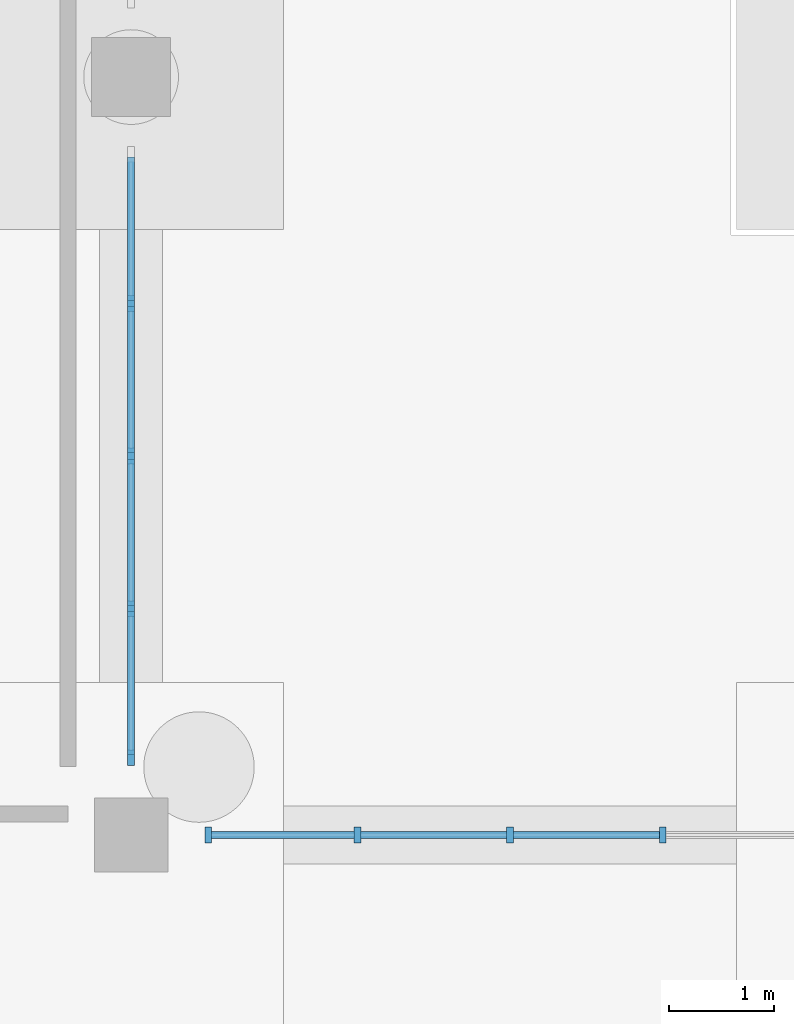
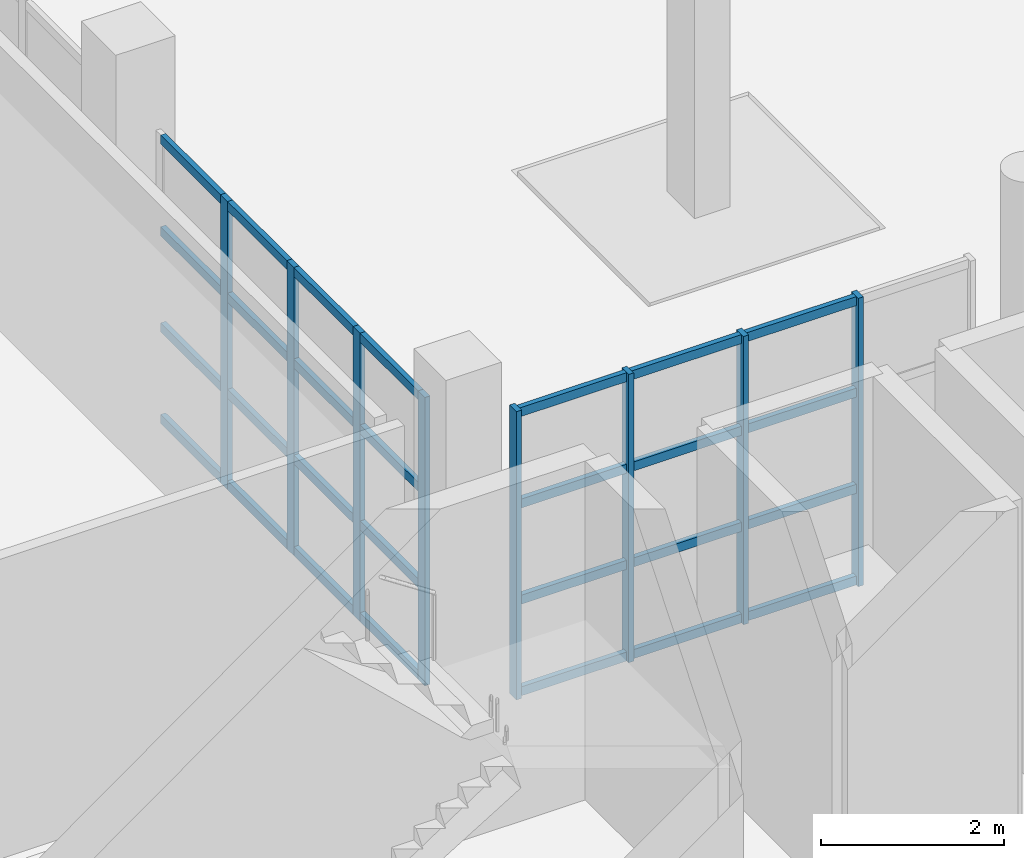
# One storey, part 42 of 285: 36 members, 2 elements without a shape of their own.
"""IFC4 building model written with IfcOpenShell, lengths in metres."""

from ifc_helpers import new_model, si_unit, direction, frame, origin, origin_2d, place, context, subcontext, project, spatial, rectangle, extrude, material, material_profile, profile_set, type_object, element, aggregate, save


model = new_model("IFC4")

# Units and contexts
model_context = context("Model", 3, precision=1e-05, world=origin(), true_north=direction((0.0, 1.0)))
body_context = subcontext(model_context, "Body", "Model", "MODEL_VIEW")
ifc_project = project(units=[si_unit("LENGTHUNIT", "METRE"), si_unit("AREAUNIT", "SQUARE_METRE"), si_unit("VOLUMEUNIT", "CUBIC_METRE"), si_unit("PLANEANGLEUNIT", "RADIAN"), si_unit("MASSUNIT", "GRAM", prefix="KILO")], contexts=[model_context])

# Site, building, storey
site_placement = place(None, origin())
site = spatial("IfcSite", under=ifc_project, at=site_placement, CompositionType="ELEMENT")
building_placement = place(site_placement, origin())
building = spatial("IfcBuilding", under=site, at=building_placement, Name="Solanera Park Tramway Depot", CompositionType="ELEMENT")
storey_placement = place(building_placement, origin())
storey = spatial("IfcBuildingStorey", under=building, at=storey_placement, Name="L00", CompositionType="ELEMENT", Elevation=0.0)

# Curtain wall, members
ifc_material_1 = material(Name="Bronze-anodised thermally broken aluminium curtain wall", Category="aluminium")
curtain_wall_type = type_object("IfcCurtainWallType", Name="Courtyard Cloister Unitised Curtain Wall", PredefinedType="NOTDEFINED", material=ifc_material_1)
curtain_wall_1_placement = place(storey_placement, origin())
curtain_wall_1 = element("IfcCurtainWall", 1, at=curtain_wall_1_placement, inside=storey, type_object=curtain_wall_type, Name="L00 Courtyard Cloister Unitised Curtain Wall #072", PredefinedType="NOTDEFINED")
ifc_material_2 = material(Name="Bronze-anodised structural aluminium 6063-T6", Category="aluminium")
ifc_material_profile_1 = material_profile(ifc_material_2, rectangle(XDim=0.06494140625, YDim=0.14990234375, at=origin_2d()), Name="Curtain Wall Mullion 65x150")
ifc_profile_set_1 = profile_set([ifc_material_profile_1], Name="Bronze-anodised structural aluminium 6063-T6")
member_type_1 = type_object("IfcMemberType", Name="Curtain Wall Mullion 65x150", PredefinedType="MULLION", material=ifc_profile_set_1)
member_1_placement = place(storey_placement, frame((123.132568359375, 25.199951171875, 0.0), z_axis=(0.0, 0.0, 1.0), x_axis=(1.0, 0.0, 0.0)))
member_1 = element("IfcMember", 2, at=member_1_placement, type_object=member_type_1, Name="CW-L00-072 Mullion 1", PredefinedType="MULLION", context=body_context, shape_type="SweptSolid", body=[
    extrude(rectangle(XDim=0.06494140625, YDim=0.14990234375, at=origin_2d()), origin(), (0.0, 0.0, 1.0), 3.85009765625),
])
member_2_placement = place(storey_placement, frame((124.550048828125, 25.199951171875, 0.0), z_axis=(0.0, 0.0, 1.0), x_axis=(1.0, 0.0, 0.0)))
member_2 = element("IfcMember", 3, at=member_2_placement, type_object=member_type_1, Name="CW-L00-072 Mullion 2", PredefinedType="MULLION", context=body_context, shape_type="SweptSolid", body=[
    extrude(rectangle(XDim=0.06494140625, YDim=0.14990234375, at=origin_2d()), origin(), (0.0, 0.0, 1.0), 3.85009765625),
])
member_3_placement = place(storey_placement, frame((126.0, 25.199951171875, 0.0), z_axis=(0.0, 0.0, 1.0), x_axis=(1.0, 0.0, 0.0)))
member_3 = element("IfcMember", 4, at=member_3_placement, type_object=member_type_1, Name="CW-L00-072 Mullion 3", PredefinedType="MULLION", context=body_context, shape_type="SweptSolid", body=[
    extrude(rectangle(XDim=0.06494140625, YDim=0.14990234375, at=origin_2d()), origin(), (0.0, 0.0, 1.0), 3.85009765625),
])
member_4_placement = place(storey_placement, frame((127.449951171875, 25.199951171875, 0.0), z_axis=(0.0, 0.0, 1.0), x_axis=(1.0, 0.0, 0.0)))
member_4 = element("IfcMember", 5, at=member_4_placement, type_object=member_type_1, Name="CW-L00-072 Mullion 4", PredefinedType="MULLION", context=body_context, shape_type="SweptSolid", body=[
    extrude(rectangle(XDim=0.06494140625, YDim=0.14990234375, at=origin_2d()), origin(), (0.0, 0.0, 1.0), 3.85009765625),
])

curtain_wall_2_placement = place(storey_placement, origin())
curtain_wall_2 = element("IfcCurtainWall", 6, at=curtain_wall_2_placement, inside=storey, type_object=curtain_wall_type, Name="L00 Courtyard Cloister Unitised Curtain Wall #084", PredefinedType="NOTDEFINED")
member_5_placement = place(storey_placement, frame((122.39990234375, 25.9326171875, 0.0), z_axis=(0.0, 0.0, 1.0), x_axis=(1.0, 0.0, 0.0)))
member_5 = element("IfcMember", 7, at=member_5_placement, type_object=member_type_1, Name="CW-L00-084 Mullion 1", PredefinedType="MULLION", context=body_context, shape_type="SweptSolid", body=[
    extrude(rectangle(XDim=0.06494140625, YDim=0.14990234375, at=origin_2d()), origin(), (0.0, 0.0, 1.0), 3.85009765625),
])
member_6_placement = place(storey_placement, frame((122.39990234375, 27.35009765625, 0.0), z_axis=(0.0, 0.0, 1.0), x_axis=(1.0, 0.0, 0.0)))
member_6 = element("IfcMember", 8, at=member_6_placement, type_object=member_type_1, Name="CW-L00-084 Mullion 2", PredefinedType="MULLION", context=body_context, shape_type="SweptSolid", body=[
    extrude(rectangle(XDim=0.06494140625, YDim=0.14990234375, at=origin_2d()), origin(), (0.0, 0.0, 1.0), 3.85009765625),
])
member_7_placement = place(storey_placement, frame((122.39990234375, 28.800048828125, 0.0), z_axis=(0.0, 0.0, 1.0), x_axis=(1.0, 0.0, 0.0)))
member_7 = element("IfcMember", 9, at=member_7_placement, type_object=member_type_1, Name="CW-L00-084 Mullion 3", PredefinedType="MULLION", context=body_context, shape_type="SweptSolid", body=[
    extrude(rectangle(XDim=0.06494140625, YDim=0.14990234375, at=origin_2d()), origin(), (0.0, 0.0, 1.0), 3.85009765625),
])
member_8_placement = place(storey_placement, frame((122.39990234375, 30.25, 0.0), z_axis=(0.0, 0.0, 1.0), x_axis=(1.0, 0.0, 0.0)))
member_8 = element("IfcMember", 10, at=member_8_placement, type_object=member_type_1, Name="CW-L00-084 Mullion 4", PredefinedType="MULLION", context=body_context, shape_type="SweptSolid", body=[
    extrude(rectangle(XDim=0.06494140625, YDim=0.14990234375, at=origin_2d()), origin(), (0.0, 0.0, 1.0), 3.85009765625),
])

# Member
ifc_material_3 = material(Name="Bronze-anodised structural aluminium 6063-T6", Category="aluminium")
ifc_material_profile_2 = material_profile(ifc_material_3, rectangle(XDim=0.06494140625, YDim=0.1201171875, at=origin_2d()), Name="Curtain Wall Transom 65x120")
ifc_profile_set_2 = profile_set([ifc_material_profile_2], Name="Bronze-anodised structural aluminium 6063-T6")
member_type_2 = type_object("IfcMemberType", Name="Curtain Wall Transom 65x120", PredefinedType="USERDEFINED", material=ifc_profile_set_2)
member_9_placement = place(storey_placement, frame((123.160400390625, 25.199951171875, 0.06005859375), z_axis=(1.0, 0.0, 0.0), x_axis=(0.0, 1.0, 0.0)))
member_9 = element("IfcMember", 11, at=member_9_placement, type_object=member_type_2, Name="CW-L00-072 Transom R1.C1", ObjectType="TRANSOM", PredefinedType="USERDEFINED", context=body_context, shape_type="SweptSolid", body=[
    extrude(rectangle(XDim=0.06494140625, YDim=0.1201171875, at=origin_2d()), origin(), (0.0, 0.0, 1.0), 1.361572265625),
])

member_10_placement = place(storey_placement, frame((124.577880859375, 25.199951171875, 0.06005859375), z_axis=(1.0, 0.0, 0.0), x_axis=(0.0, 1.0, 0.0)))
member_10 = element("IfcMember", 12, at=member_10_placement, type_object=member_type_2, Name="CW-L00-072 Transom R1.C2", ObjectType="TRANSOM", PredefinedType="USERDEFINED", context=body_context, shape_type="SweptSolid", body=[
    extrude(rectangle(XDim=0.06494140625, YDim=0.1201171875, at=origin_2d()), origin(), (0.0, 0.0, 1.0), 1.39404296875),
])

member_11_placement = place(storey_placement, frame((126.028076171875, 25.199951171875, 0.06005859375), z_axis=(1.0, 0.0, 0.0), x_axis=(0.0, 1.0, 0.0)))
member_11 = element("IfcMember", 13, at=member_11_placement, type_object=member_type_2, Name="CW-L00-072 Transom R1.C3", ObjectType="TRANSOM", PredefinedType="USERDEFINED", context=body_context, shape_type="SweptSolid", body=[
    extrude(rectangle(XDim=0.06494140625, YDim=0.1201171875, at=origin_2d()), origin(), (0.0, 0.0, 1.0), 1.39404296875),
])

member_12_placement = place(storey_placement, frame((123.160400390625, 25.199951171875, 1.283203125), z_axis=(1.0, 0.0, 0.0), x_axis=(0.0, 1.0, 0.0)))
member_12 = element("IfcMember", 14, at=member_12_placement, type_object=member_type_2, Name="CW-L00-072 Transom R2.C1", ObjectType="TRANSOM", PredefinedType="USERDEFINED", context=body_context, shape_type="SweptSolid", body=[
    extrude(rectangle(XDim=0.06494140625, YDim=0.1201171875, at=origin_2d()), origin(), (0.0, 0.0, 1.0), 1.361572265625),
])

member_13_placement = place(storey_placement, frame((124.577880859375, 25.199951171875, 1.283203125), z_axis=(1.0, 0.0, 0.0), x_axis=(0.0, 1.0, 0.0)))
member_13 = element("IfcMember", 15, at=member_13_placement, type_object=member_type_2, Name="CW-L00-072 Transom R2.C2", ObjectType="TRANSOM", PredefinedType="USERDEFINED", context=body_context, shape_type="SweptSolid", body=[
    extrude(rectangle(XDim=0.06494140625, YDim=0.1201171875, at=origin_2d()), origin(), (0.0, 0.0, 1.0), 1.39404296875),
])

member_14_placement = place(storey_placement, frame((126.028076171875, 25.199951171875, 1.283203125), z_axis=(1.0, 0.0, 0.0), x_axis=(0.0, 1.0, 0.0)))
member_14 = element("IfcMember", 16, at=member_14_placement, type_object=member_type_2, Name="CW-L00-072 Transom R2.C3", ObjectType="TRANSOM", PredefinedType="USERDEFINED", context=body_context, shape_type="SweptSolid", body=[
    extrude(rectangle(XDim=0.06494140625, YDim=0.1201171875, at=origin_2d()), origin(), (0.0, 0.0, 1.0), 1.39404296875),
])

member_15_placement = place(storey_placement, frame((123.160400390625, 25.199951171875, 2.566650390625), z_axis=(1.0, 0.0, 0.0), x_axis=(0.0, 1.0, 0.0)))
member_15 = element("IfcMember", 17, at=member_15_placement, type_object=member_type_2, Name="CW-L00-072 Transom R3.C1", ObjectType="TRANSOM", PredefinedType="USERDEFINED", context=body_context, shape_type="SweptSolid", body=[
    extrude(rectangle(XDim=0.06494140625, YDim=0.1201171875, at=origin_2d()), origin(), (0.0, 0.0, 1.0), 1.361572265625),
])

member_16_placement = place(storey_placement, frame((124.577880859375, 25.199951171875, 2.566650390625), z_axis=(1.0, 0.0, 0.0), x_axis=(0.0, 1.0, 0.0)))
member_16 = element("IfcMember", 18, at=member_16_placement, type_object=member_type_2, Name="CW-L00-072 Transom R3.C2", ObjectType="TRANSOM", PredefinedType="USERDEFINED", context=body_context, shape_type="SweptSolid", body=[
    extrude(rectangle(XDim=0.06494140625, YDim=0.1201171875, at=origin_2d()), origin(), (0.0, 0.0, 1.0), 1.39404296875),
])

member_17_placement = place(storey_placement, frame((126.028076171875, 25.199951171875, 2.566650390625), z_axis=(1.0, 0.0, 0.0), x_axis=(0.0, 1.0, 0.0)))
member_17 = element("IfcMember", 19, at=member_17_placement, type_object=member_type_2, Name="CW-L00-072 Transom R3.C3", ObjectType="TRANSOM", PredefinedType="USERDEFINED", context=body_context, shape_type="SweptSolid", body=[
    extrude(rectangle(XDim=0.06494140625, YDim=0.1201171875, at=origin_2d()), origin(), (0.0, 0.0, 1.0), 1.39404296875),
])

member_18_placement = place(storey_placement, frame((123.160400390625, 25.199951171875, 3.7900390625), z_axis=(1.0, 0.0, 0.0), x_axis=(0.0, 1.0, 0.0)))
member_18 = element("IfcMember", 20, at=member_18_placement, type_object=member_type_2, Name="CW-L00-072 Transom R4.C1", ObjectType="TRANSOM", PredefinedType="USERDEFINED", context=body_context, shape_type="SweptSolid", body=[
    extrude(rectangle(XDim=0.06494140625, YDim=0.1201171875, at=origin_2d()), origin(), (0.0, 0.0, 1.0), 1.361572265625),
])

member_19_placement = place(storey_placement, frame((124.577880859375, 25.199951171875, 3.7900390625), z_axis=(1.0, 0.0, 0.0), x_axis=(0.0, 1.0, 0.0)))
member_19 = element("IfcMember", 21, at=member_19_placement, type_object=member_type_2, Name="CW-L00-072 Transom R4.C2", ObjectType="TRANSOM", PredefinedType="USERDEFINED", context=body_context, shape_type="SweptSolid", body=[
    extrude(rectangle(XDim=0.06494140625, YDim=0.1201171875, at=origin_2d()), origin(), (0.0, 0.0, 1.0), 1.39404296875),
])

member_20_placement = place(storey_placement, frame((126.028076171875, 25.199951171875, 3.7900390625), z_axis=(1.0, 0.0, 0.0), x_axis=(0.0, 1.0, 0.0)))
member_20 = element("IfcMember", 22, at=member_20_placement, type_object=member_type_2, Name="CW-L00-072 Transom R4.C3", ObjectType="TRANSOM", PredefinedType="USERDEFINED", context=body_context, shape_type="SweptSolid", body=[
    extrude(rectangle(XDim=0.06494140625, YDim=0.1201171875, at=origin_2d()), origin(), (0.0, 0.0, 1.0), 1.39404296875),
])

aggregate(curtain_wall_1, [member_1, member_2, member_3, member_4, member_9, member_10, member_11, member_12, member_13, member_14, member_15, member_16, member_17, member_18, member_19, member_20])

member_21_placement = place(storey_placement, frame((122.39990234375, 25.96044921875, 0.06005859375), z_axis=(0.0, 1.0, 0.0), x_axis=(-1.0, 0.0, 0.0)))
member_21 = element("IfcMember", 23, at=member_21_placement, type_object=member_type_2, Name="CW-L00-084 Transom R1.C1", ObjectType="TRANSOM", PredefinedType="USERDEFINED", context=body_context, shape_type="SweptSolid", body=[
    extrude(rectangle(XDim=0.06494140625, YDim=0.1201171875, at=origin_2d()), origin(), (0.0, 0.0, 1.0), 1.361572265625),
])

member_22_placement = place(storey_placement, frame((122.39990234375, 27.3779296875, 0.06005859375), z_axis=(0.0, 1.0, 0.0), x_axis=(-1.0, 0.0, 0.0)))
member_22 = element("IfcMember", 24, at=member_22_placement, type_object=member_type_2, Name="CW-L00-084 Transom R1.C2", ObjectType="TRANSOM", PredefinedType="USERDEFINED", context=body_context, shape_type="SweptSolid", body=[
    extrude(rectangle(XDim=0.06494140625, YDim=0.1201171875, at=origin_2d()), origin(), (0.0, 0.0, 1.0), 1.39404296875),
])

member_23_placement = place(storey_placement, frame((122.39990234375, 28.827880859375, 0.06005859375), z_axis=(0.0, 1.0, 0.0), x_axis=(-1.0, 0.0, 0.0)))
member_23 = element("IfcMember", 25, at=member_23_placement, type_object=member_type_2, Name="CW-L00-084 Transom R1.C3", ObjectType="TRANSOM", PredefinedType="USERDEFINED", context=body_context, shape_type="SweptSolid", body=[
    extrude(rectangle(XDim=0.06494140625, YDim=0.1201171875, at=origin_2d()), origin(), (0.0, 0.0, 1.0), 1.39404296875),
])

member_24_placement = place(storey_placement, frame((122.39990234375, 30.278076171875, 0.06005859375), z_axis=(0.0, 1.0, 0.0), x_axis=(-1.0, 0.0, 0.0)))
member_24 = element("IfcMember", 26, at=member_24_placement, type_object=member_type_2, Name="CW-L00-084 Transom R1.C4", ObjectType="TRANSOM", PredefinedType="USERDEFINED", context=body_context, shape_type="SweptSolid", body=[
    extrude(rectangle(XDim=0.06494140625, YDim=0.1201171875, at=origin_2d()), origin(), (0.0, 0.0, 1.0), 1.361328125),
])

member_25_placement = place(storey_placement, frame((122.39990234375, 25.96044921875, 1.283203125), z_axis=(0.0, 1.0, 0.0), x_axis=(-1.0, 0.0, 0.0)))
member_25 = element("IfcMember", 27, at=member_25_placement, type_object=member_type_2, Name="CW-L00-084 Transom R2.C1", ObjectType="TRANSOM", PredefinedType="USERDEFINED", context=body_context, shape_type="SweptSolid", body=[
    extrude(rectangle(XDim=0.06494140625, YDim=0.1201171875, at=origin_2d()), origin(), (0.0, 0.0, 1.0), 1.361572265625),
])

member_26_placement = place(storey_placement, frame((122.39990234375, 27.3779296875, 1.283203125), z_axis=(0.0, 1.0, 0.0), x_axis=(-1.0, 0.0, 0.0)))
member_26 = element("IfcMember", 28, at=member_26_placement, type_object=member_type_2, Name="CW-L00-084 Transom R2.C2", ObjectType="TRANSOM", PredefinedType="USERDEFINED", context=body_context, shape_type="SweptSolid", body=[
    extrude(rectangle(XDim=0.06494140625, YDim=0.1201171875, at=origin_2d()), origin(), (0.0, 0.0, 1.0), 1.39404296875),
])

member_27_placement = place(storey_placement, frame((122.39990234375, 28.827880859375, 1.283203125), z_axis=(0.0, 1.0, 0.0), x_axis=(-1.0, 0.0, 0.0)))
member_27 = element("IfcMember", 29, at=member_27_placement, type_object=member_type_2, Name="CW-L00-084 Transom R2.C3", ObjectType="TRANSOM", PredefinedType="USERDEFINED", context=body_context, shape_type="SweptSolid", body=[
    extrude(rectangle(XDim=0.06494140625, YDim=0.1201171875, at=origin_2d()), origin(), (0.0, 0.0, 1.0), 1.39404296875),
])

member_28_placement = place(storey_placement, frame((122.39990234375, 30.278076171875, 1.283203125), z_axis=(0.0, 1.0, 0.0), x_axis=(-1.0, 0.0, 0.0)))
member_28 = element("IfcMember", 30, at=member_28_placement, type_object=member_type_2, Name="CW-L00-084 Transom R2.C4", ObjectType="TRANSOM", PredefinedType="USERDEFINED", context=body_context, shape_type="SweptSolid", body=[
    extrude(rectangle(XDim=0.06494140625, YDim=0.1201171875, at=origin_2d()), origin(), (0.0, 0.0, 1.0), 1.361328125),
])

member_29_placement = place(storey_placement, frame((122.39990234375, 25.96044921875, 2.566650390625), z_axis=(0.0, 1.0, 0.0), x_axis=(-1.0, 0.0, 0.0)))
member_29 = element("IfcMember", 31, at=member_29_placement, type_object=member_type_2, Name="CW-L00-084 Transom R3.C1", ObjectType="TRANSOM", PredefinedType="USERDEFINED", context=body_context, shape_type="SweptSolid", body=[
    extrude(rectangle(XDim=0.06494140625, YDim=0.1201171875, at=origin_2d()), origin(), (0.0, 0.0, 1.0), 1.361572265625),
])

member_30_placement = place(storey_placement, frame((122.39990234375, 27.3779296875, 2.566650390625), z_axis=(0.0, 1.0, 0.0), x_axis=(-1.0, 0.0, 0.0)))
member_30 = element("IfcMember", 32, at=member_30_placement, type_object=member_type_2, Name="CW-L00-084 Transom R3.C2", ObjectType="TRANSOM", PredefinedType="USERDEFINED", context=body_context, shape_type="SweptSolid", body=[
    extrude(rectangle(XDim=0.06494140625, YDim=0.1201171875, at=origin_2d()), origin(), (0.0, 0.0, 1.0), 1.39404296875),
])

member_31_placement = place(storey_placement, frame((122.39990234375, 28.827880859375, 2.566650390625), z_axis=(0.0, 1.0, 0.0), x_axis=(-1.0, 0.0, 0.0)))
member_31 = element("IfcMember", 33, at=member_31_placement, type_object=member_type_2, Name="CW-L00-084 Transom R3.C3", ObjectType="TRANSOM", PredefinedType="USERDEFINED", context=body_context, shape_type="SweptSolid", body=[
    extrude(rectangle(XDim=0.06494140625, YDim=0.1201171875, at=origin_2d()), origin(), (0.0, 0.0, 1.0), 1.39404296875),
])

member_32_placement = place(storey_placement, frame((122.39990234375, 30.278076171875, 2.566650390625), z_axis=(0.0, 1.0, 0.0), x_axis=(-1.0, 0.0, 0.0)))
member_32 = element("IfcMember", 34, at=member_32_placement, type_object=member_type_2, Name="CW-L00-084 Transom R3.C4", ObjectType="TRANSOM", PredefinedType="USERDEFINED", context=body_context, shape_type="SweptSolid", body=[
    extrude(rectangle(XDim=0.06494140625, YDim=0.1201171875, at=origin_2d()), origin(), (0.0, 0.0, 1.0), 1.361328125),
])

member_33_placement = place(storey_placement, frame((122.39990234375, 25.96044921875, 3.7900390625), z_axis=(0.0, 1.0, 0.0), x_axis=(-1.0, 0.0, 0.0)))
member_33 = element("IfcMember", 35, at=member_33_placement, type_object=member_type_2, Name="CW-L00-084 Transom R4.C1", ObjectType="TRANSOM", PredefinedType="USERDEFINED", context=body_context, shape_type="SweptSolid", body=[
    extrude(rectangle(XDim=0.06494140625, YDim=0.1201171875, at=origin_2d()), origin(), (0.0, 0.0, 1.0), 1.361572265625),
])

member_34_placement = place(storey_placement, frame((122.39990234375, 27.3779296875, 3.7900390625), z_axis=(0.0, 1.0, 0.0), x_axis=(-1.0, 0.0, 0.0)))
member_34 = element("IfcMember", 36, at=member_34_placement, type_object=member_type_2, Name="CW-L00-084 Transom R4.C2", ObjectType="TRANSOM", PredefinedType="USERDEFINED", context=body_context, shape_type="SweptSolid", body=[
    extrude(rectangle(XDim=0.06494140625, YDim=0.1201171875, at=origin_2d()), origin(), (0.0, 0.0, 1.0), 1.39404296875),
])

member_35_placement = place(storey_placement, frame((122.39990234375, 28.827880859375, 3.7900390625), z_axis=(0.0, 1.0, 0.0), x_axis=(-1.0, 0.0, 0.0)))
member_35 = element("IfcMember", 37, at=member_35_placement, type_object=member_type_2, Name="CW-L00-084 Transom R4.C3", ObjectType="TRANSOM", PredefinedType="USERDEFINED", context=body_context, shape_type="SweptSolid", body=[
    extrude(rectangle(XDim=0.06494140625, YDim=0.1201171875, at=origin_2d()), origin(), (0.0, 0.0, 1.0), 1.39404296875),
])

member_36_placement = place(storey_placement, frame((122.39990234375, 30.278076171875, 3.7900390625), z_axis=(0.0, 1.0, 0.0), x_axis=(-1.0, 0.0, 0.0)))
member_36 = element("IfcMember", 38, at=member_36_placement, type_object=member_type_2, Name="CW-L00-084 Transom R4.C4", ObjectType="TRANSOM", PredefinedType="USERDEFINED", context=body_context, shape_type="SweptSolid", body=[
    extrude(rectangle(XDim=0.06494140625, YDim=0.1201171875, at=origin_2d()), origin(), (0.0, 0.0, 1.0), 1.361328125),
])

aggregate(curtain_wall_2, [member_5, member_6, member_7, member_8, member_21, member_22, member_23, member_24, member_25, member_26, member_27, member_28, member_29, member_30, member_31, member_32, member_33, member_34, member_35, member_36])

save(model, "model.ifc")
